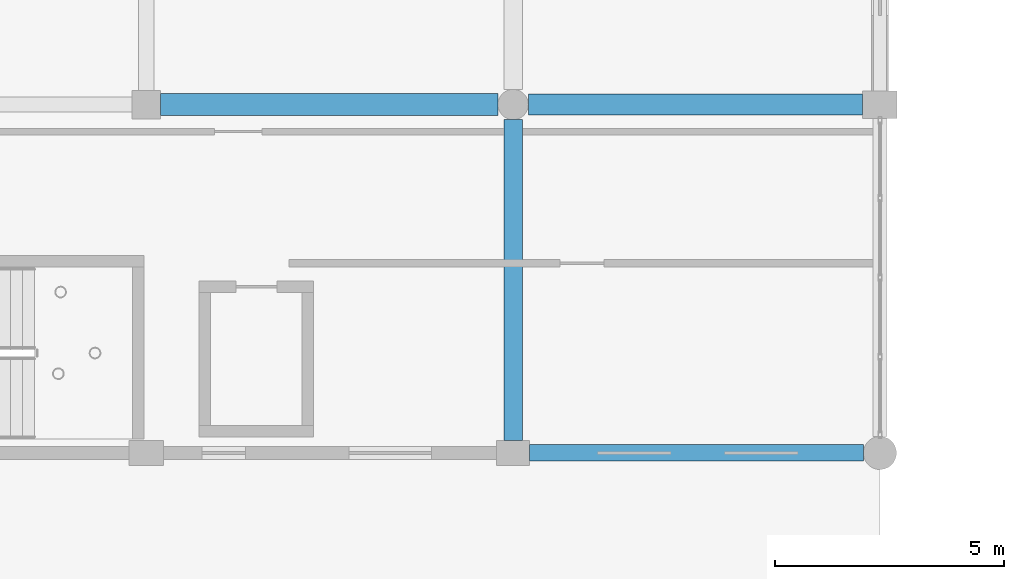
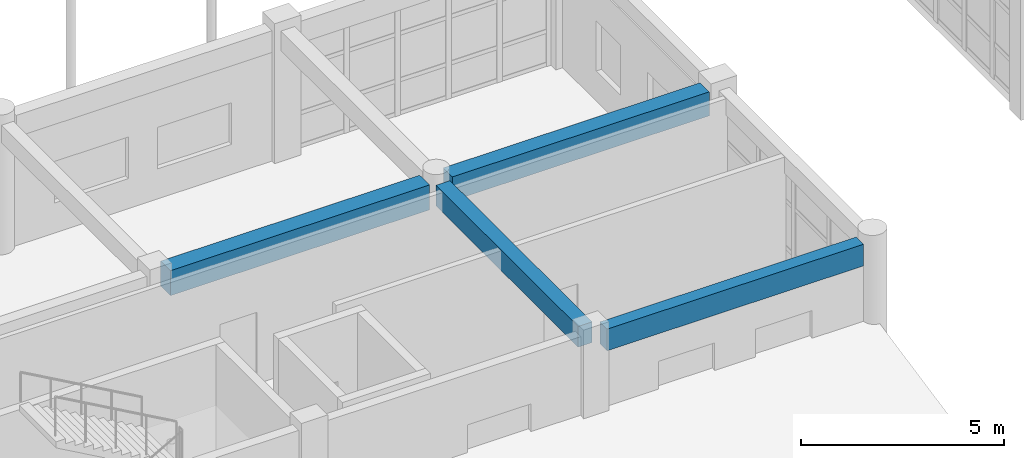
# One storey, part 76 of 195: 4 beams.
"""IFC4 building model written with IfcOpenShell, lengths in metres."""

from ifc_helpers import new_model, si_unit, direction, frame, origin, origin_2d, place, context, subcontext, project, spatial, rectangle, extrude, material, material_profile, profile_set, type_object, element, save


model = new_model("IFC4")

# Units and contexts
model_context = context("Model", 3, precision=1e-05, world=origin(), true_north=direction((0.0, 1.0)))
body_context = subcontext(model_context, "Body", "Model", "MODEL_VIEW")
ifc_project = project(units=[si_unit("LENGTHUNIT", "METRE"), si_unit("AREAUNIT", "SQUARE_METRE"), si_unit("VOLUMEUNIT", "CUBIC_METRE"), si_unit("PLANEANGLEUNIT", "RADIAN"), si_unit("MASSUNIT", "GRAM", prefix="KILO")], contexts=[model_context])

# Site, building, storey
site_placement = place(None, origin())
site = spatial("IfcSite", under=ifc_project, at=site_placement, CompositionType="ELEMENT")
building_placement = place(site_placement, origin())
building = spatial("IfcBuilding", under=site, at=building_placement, Name="Kharva Crest Polytechnic", CompositionType="ELEMENT")
storey_placement = place(building_placement, frame((0.0, 0.0, 9.0)))
storey = spatial("IfcBuildingStorey", under=building, at=storey_placement, Name="L02", CompositionType="ELEMENT", Elevation=9.0)

# Beams
ifc_material = material(Name="Concrete C35/45", Category="concrete")
ifc_material_profile_1 = material_profile(ifc_material, rectangle(XDim=0.39990234375, YDim=0.6201171875, at=origin_2d()), Name="RECT 400 X 620")
ifc_profile_set_1 = profile_set([ifc_material_profile_1], Name="Concrete C35/45")
beam_type_1 = type_object("IfcBeamType", Name="BM-RC-400X620", PredefinedType="BEAM", material=ifc_profile_set_1)
beam_1_placement = place(storey_placement, frame((104.0, 7.875, 3.610107421875), z_axis=(0.0, 1.0, 0.0), x_axis=(-1.0, 0.0, 0.0)))
element("IfcBeam", 1, at=beam_1_placement, inside=storey, type_object=beam_type_1, Name="L02 Girder 14/B-C", PredefinedType="BEAM", context=body_context, shape_type="SweptSolid", body=[
    extrude(rectangle(XDim=0.39990234375, YDim=0.6201171875, at=origin_2d()), origin(), (0.0, 0.0, 1.0), 6.9951171875),
])
ifc_material_profile_2 = material_profile(ifc_material, rectangle(XDim=0.449951171875, YDim=0.719970703125, at=origin_2d()), Name="RECT 450 X 720")
ifc_profile_set_2 = profile_set([ifc_material_profile_2], Name="Concrete C35/45")
beam_type_2 = type_object("IfcBeamType", Name="BM-RC-450X720", PredefinedType="BEAM", material=ifc_profile_set_2)
beam_2_placement = place(storey_placement, frame((104.330078125, 15.199951171875, 3.56005859375), z_axis=(1.0, 0.0, 0.0), x_axis=(0.0, 1.0, 0.0)))
element("IfcBeam", 2, at=beam_2_placement, inside=storey, type_object=beam_type_2, Name="L02 Beam C/14-15", PredefinedType="BEAM", context=body_context, shape_type="SweptSolid", body=[
    extrude(rectangle(XDim=0.449951171875, YDim=0.719970703125, at=origin_2d()), origin(), (0.0, 0.0, 1.0), 7.294921875),
])
ifc_material_profile_3 = material_profile(ifc_material, rectangle(XDim=0.47998046875, YDim=0.75, at=origin_2d()), Name="RECT 480 X 750")
ifc_profile_set_3 = profile_set([ifc_material_profile_3], Name="Concrete C35/45")
beam_type_3 = type_object("IfcBeamType", Name="BM-RC-480X750", PredefinedType="BEAM", material=ifc_profile_set_3)
beam_3_placement = place(storey_placement, frame((96.31005859375, 15.199951171875, 3.544921875), z_axis=(1.0, 0.0, 0.0), x_axis=(0.0, 1.0, 0.0)))
element("IfcBeam", 3, at=beam_3_placement, inside=storey, type_object=beam_type_3, Name="L02 Beam C/13-14", PredefinedType="BEAM", context=body_context, shape_type="SweptSolid", body=[
    extrude(rectangle(XDim=0.47998046875, YDim=0.75, at=origin_2d()), origin(), (0.0, 0.0, 1.0), 7.35986328125),
])
ifc_material_profile_4 = material_profile(ifc_material, rectangle(XDim=0.360107421875, YDim=0.64990234375, at=origin_2d()), Name="RECT 360 X 650")
ifc_profile_set_4 = profile_set([ifc_material_profile_4], Name="Concrete C35/45")
beam_type_4 = type_object("IfcBeamType", Name="SP-RC-360X650", PredefinedType="SPANDREL", material=ifc_profile_set_4)
beam_4_placement = place(storey_placement, frame((104.360107421875, 7.60009765625, 3.594970703125), z_axis=(1.0, 0.0, 0.0), x_axis=(0.0, 1.0, 0.0)))
element("IfcBeam", 4, at=beam_4_placement, inside=storey, type_object=beam_type_4, Name="L02 Beam B/14-15", PredefinedType="SPANDREL", context=body_context, shape_type="SweptSolid", body=[
    extrude(rectangle(XDim=0.360107421875, YDim=0.64990234375, at=origin_2d()), origin(), (0.0, 0.0, 1.0), 7.27978515625),
])

save(model, "model.ifc")
